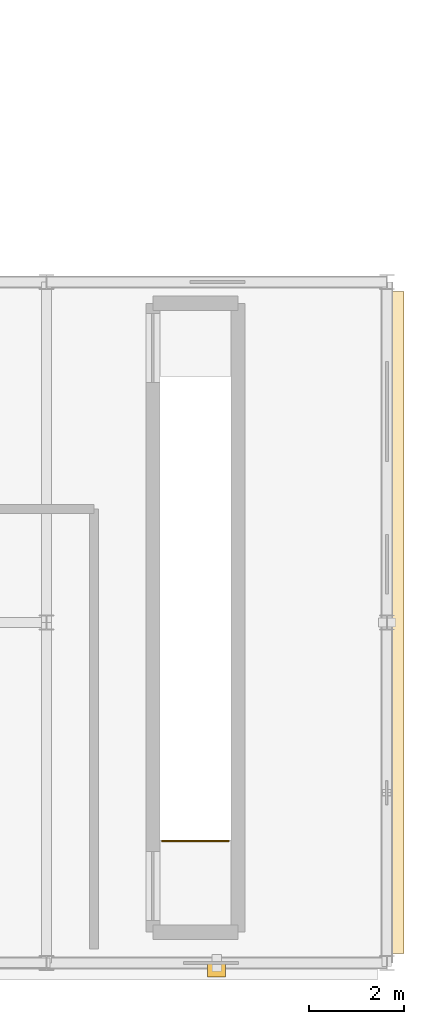
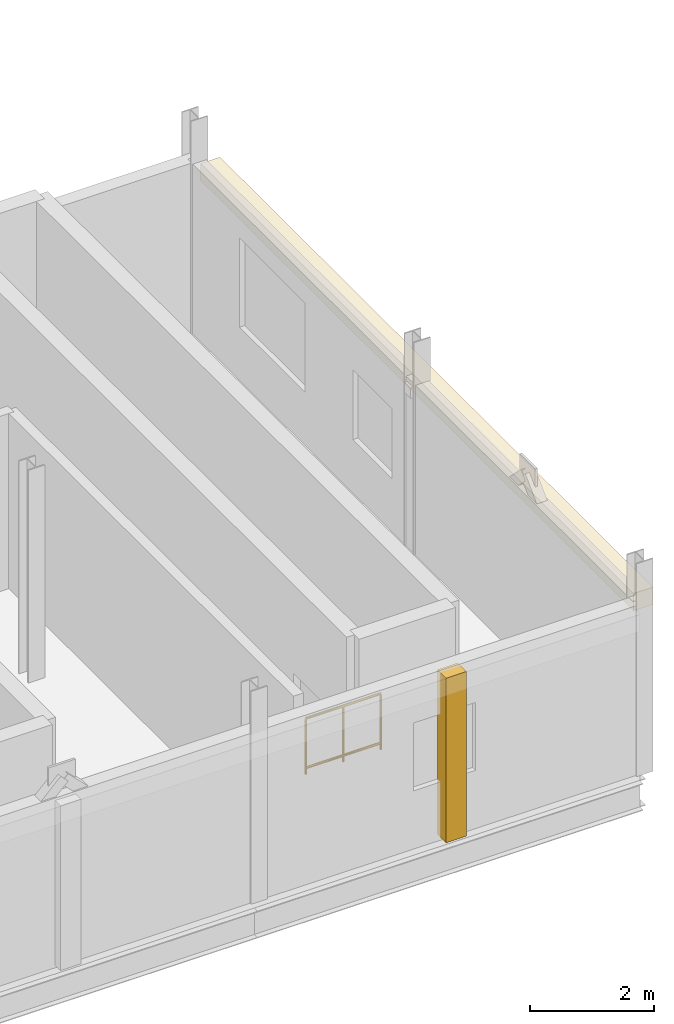
# One storey, part 28 of 28: 2 coverings, 1 railing.
"""IFC4 building model written with IfcOpenShell, lengths in metres."""

from ifc_helpers import new_model, si_unit, direction, frame, origin, origin_2d, place, context, subcontext, project, spatial, rectangle, circle, extrude, material, layer, layer_set, type_object, element, save


model = new_model("IFC4")

# Units and contexts
model_context = context("Model", 3, precision=1e-05, world=origin(), true_north=direction((0.0, 1.0)))
body_context = subcontext(model_context, "Body", "Model", "MODEL_VIEW")
ifc_project = project(units=[si_unit("LENGTHUNIT", "METRE"), si_unit("AREAUNIT", "SQUARE_METRE"), si_unit("VOLUMEUNIT", "CUBIC_METRE"), si_unit("PLANEANGLEUNIT", "RADIAN"), si_unit("MASSUNIT", "GRAM", prefix="KILO")], contexts=[model_context])

# Site, building, storey
site_placement = place(None, origin())
site = spatial("IfcSite", under=ifc_project, at=site_placement, CompositionType="ELEMENT")
building_placement = place(site_placement, origin())
building = spatial("IfcBuilding", under=site, at=building_placement, Name="Yarey Park Central Fire Station", CompositionType="ELEMENT")
storey_placement = place(building_placement, frame((0.0, 0.0, 22.199951171875)))
storey = spatial("IfcBuildingStorey", under=building, at=storey_placement, Name="L06", CompositionType="ELEMENT", Elevation=22.199951171875)

# Coverings
ifc_material_1 = material(Name="Honed Coral-Limestone Cladding", Category="masonry")
ifc_layer_1 = layer(ifc_material_1, 0.044921875)
ifc_layer_set_1 = layer_set([ifc_layer_1], Name="Honed Coral-Limestone Cladding")
covering_type_1 = type_object("IfcCoveringType", Name="ENV_COV_CLAD_1", PredefinedType="CLADDING", material=ifc_layer_set_1)
covering_1_placement = place(storey_placement, frame((165.780029296875, 7.199951171875, 3.0), z_axis=(0.0, 0.0, 1.0), x_axis=(0.0, 1.0, 0.0)))
element("IfcCovering", 1, at=covering_1_placement, inside=storey, type_object=covering_type_1, Name="FIN_L06_DTE_HOOD", PredefinedType="CLADDING", context=body_context, shape_type="SweptSolid", body=[
    extrude(rectangle(XDim=14.0, YDim=0.360107421875, at=origin_2d()), origin(), (0.0, 0.0, 1.0), 0.340087890625),
])
ifc_layer_2 = layer(ifc_material_1, 0.06005859375)
ifc_layer_set_2 = layer_set([ifc_layer_2], Name="Honed Coral-Limestone Cladding")
covering_type_2 = type_object("IfcCoveringType", Name="ENV_COV_CLAD_2", PredefinedType="CLADDING", material=ifc_layer_set_2)
covering_2_placement = place(storey_placement, frame((162.0, -0.159912109375, 0.050048828125), z_axis=(0.0, 0.0, 1.0), x_axis=(1.0, 0.0, 0.0)))
element("IfcCovering", 2, at=covering_2_placement, inside=storey, type_object=covering_type_2, Name="FIN_L06_DTS_PIL_3", PredefinedType="CLADDING", context=body_context, shape_type="SweptSolid", body=[
    extrude(rectangle(XDim=0.3798828125, YDim=0.280029296875, at=origin_2d()), origin(), (0.0, 0.0, 1.0), 3.25),
])

# Railing
ifc_material_2 = material(Name="Galvanized Steel Balustrade", Category="steel")
railing_type = type_object("IfcRailingType", Name="INT_RAIL_GUARD112", PredefinedType="BALUSTRADE", material=ifc_material_2)
railing_placement = place(storey_placement, frame((160.85009765625, 2.580078125, 0.0)))
element("IfcRailing", 3, at=railing_placement, inside=storey, type_object=railing_type, Name="GRD_C6_L06_TOPWELL_S", PredefinedType="BALUSTRADE", context=body_context, shape_type="SweptSolid", body=[
    extrude(circle(Radius=0.02392578125, at=origin_2d()), frame((0.0, 0.0, 1.09619140625), z_axis=(1.0, 0.0, 0.0), x_axis=(0.0, 1.0, 0.0)), (0.0, 0.0, 1.0), 1.39990234375),
    extrude(circle(Radius=0.02392578125, at=origin_2d()), frame((0.0, 0.0, 0.1201171875), z_axis=(1.0, 0.0, 0.0), x_axis=(0.0, 1.0, 0.0)), (0.0, 0.0, 1.0), 1.39990234375),
    extrude(circle(Radius=0.02099609375, at=origin_2d()), origin(), (0.0, 0.0, 1.0), 1.072021484375),
    extrude(circle(Radius=0.02099609375, at=origin_2d()), frame((0.699951171875, 0.0, 0.0)), (0.0, 0.0, 1.0), 1.072021484375),
    extrude(circle(Radius=0.02099609375, at=origin_2d()), frame((1.39990234375, 0.0, 0.0)), (0.0, 0.0, 1.0), 1.072021484375),
])

save(model, "model.ifc")
